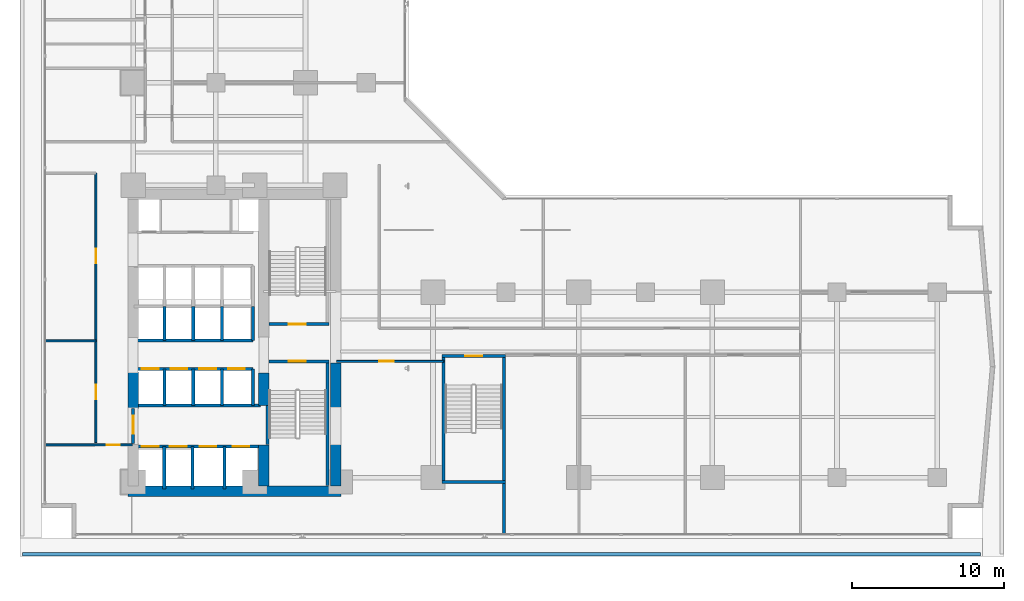
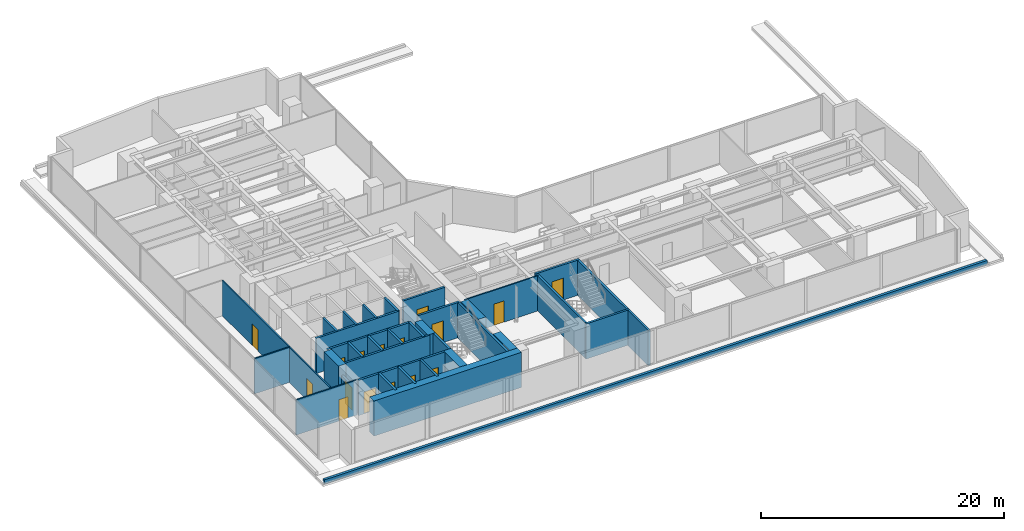
# One storey, part 21 of 29: 35 walls, 16 doors, 16 openings.
"""IFC4 building model written with IfcOpenShell, lengths in metres."""

from ifc_helpers import new_model, si_unit, direction, frame, frame_2d, origin, place, context, subcontext, project, spatial, rectangle, extrude, material, layer, layer_set, type_object, element, fill, save


model = new_model("IFC4")

# Units and contexts
model_context = context("Model", 3, precision=1e-05, world=origin(), true_north=direction((0.0, 1.0)))
body_context = subcontext(model_context, "Body", "Model", "MODEL_VIEW")
ifc_project = project(units=[si_unit("LENGTHUNIT", "METRE"), si_unit("AREAUNIT", "SQUARE_METRE"), si_unit("VOLUMEUNIT", "CUBIC_METRE"), si_unit("PLANEANGLEUNIT", "RADIAN"), si_unit("MASSUNIT", "GRAM", prefix="KILO")], contexts=[model_context])

# Site, building, storey
site_placement = place(None, origin())
site = spatial("IfcSite", under=ifc_project, at=site_placement, CompositionType="ELEMENT")
building_placement = place(site_placement, origin())
building = spatial("IfcBuilding", under=site, at=building_placement, Name="Kolvaren Waterfront Exchange", CompositionType="ELEMENT")
storey_placement = place(building_placement, frame((0.0, 0.0, 29.60009765625)))
storey = spatial("IfcBuildingStorey", under=building, at=storey_placement, Name="L07", CompositionType="ELEMENT", Elevation=29.60009765625)

# Wall, opening, door
ifc_material_1 = material(Name="Precast concrete C40/50", Category="concrete")
ifc_layer_1 = layer(ifc_material_1, 0.199951171875, Name="Precast concrete C40/50")
ifc_layer_set_1 = layer_set([ifc_layer_1], Name="Precast concrete C40/50")
wall_type_1 = type_object("IfcWallType", Name="ARC-FIRE-200", PredefinedType="PARTITIONING", material=ifc_layer_set_1)
wall_1_placement = place(storey_placement, frame((16.39990234375, 12.85009765625, 0.0), z_axis=(0.0, 0.0, 1.0), x_axis=(1.0, 0.0, 0.0)))
wall_1 = element("IfcWall", 1, at=wall_1_placement, inside=storey, type_object=wall_type_1, Name="L07 interior wall PW-L07-ST1-THROAT-S", PredefinedType="PARTITIONING", context=body_context, shape_type="SweptSolid", body=[
    extrude(rectangle(XDim=3.960205078125, YDim=0.199951171875, at=frame_2d((1.97998046875, 0.0))), origin(), (0.0, 0.0, 1.0), 3.539794921875),
])
opening_1_placement = place(wall_1_placement, frame((1.3037109375, 0.0, 0.0)))
opening_1 = element("IfcOpeningElement", 2, at=opening_1_placement, cuts=wall_1, Name="Opening FD2", PredefinedType="OPENING", context=body_context, shape_type="SweptSolid", body=[
    extrude(rectangle(XDim=1.10009765625, YDim=2.199951171875, at=frame_2d((0.550048828125, 1.10009765625))), frame((0.0, 0.10986328125, 0.0), z_axis=(0.0, -1.0, 0.0), x_axis=(1.0, 0.0, 0.0)), (0.0, 0.0, 1.0), 0.219970703125),
])
ifc_material_2 = material(Name="Pressed steel smoke-seal fire door", Category="steel")
door_type_1 = type_object("IfcDoorType", Name="ARC-FD-1100", OperationType="NOTDEFINED", PredefinedType="DOOR", material=ifc_material_2)
door_1_placement = place(opening_1_placement, frame((1.10009765625, 0.0, 0.0), z_axis=(0.0, 0.0, 1.0), x_axis=(-1.0, 0.0, 0.0)))
door_1 = element("IfcDoor", 3, at=door_1_placement, inside=storey, type_object=door_type_1, Name="L07 door DR-L07-ST1-IN (FD2)", OperationType="SINGLE_SWING_RIGHT", OverallHeight=2.199951171875, OverallWidth=1.10009765625, PredefinedType="DOOR", context=body_context, shape_type="SweptSolid", body=[
    extrude(rectangle(XDim=1.10009765625, YDim=2.199951171875, at=frame_2d((0.550048828125, 1.10009765625))), frame((0.0, 0.02490234375, 0.0), z_axis=(0.0, -1.0, 0.0), x_axis=(1.0, 0.0, 0.0)), (0.0, 0.0, 1.0), 0.050048828125),
])
fill(opening_1, door_1)

wall_2_placement = place(storey_placement, frame((16.409912109375, 15.300048828125, 0.0), z_axis=(0.0, 0.0, 1.0), x_axis=(1.0, 0.0, 0.0)))
wall_2 = element("IfcWall", 4, at=wall_2_placement, inside=storey, type_object=wall_type_1, Name="L07 interior wall PW-L07-ST2-THROAT-N", PredefinedType="PARTITIONING", context=body_context, shape_type="SweptSolid", body=[
    extrude(rectangle(XDim=3.9501953125, YDim=0.199951171875, at=frame_2d((1.97509765625, 0.0))), origin(), (0.0, 0.0, 1.0), 3.539794921875),
])
opening_2_placement = place(wall_2_placement, frame((1.293701171875, 0.0, 0.0)))
opening_2 = element("IfcOpeningElement", 5, at=opening_2_placement, cuts=wall_2, Name="Opening FD2", PredefinedType="OPENING", context=body_context, shape_type="SweptSolid", body=[
    extrude(rectangle(XDim=1.10009765625, YDim=2.199951171875, at=frame_2d((0.550048828125, 1.10009765625))), frame((0.0, 0.10986328125, 0.0), z_axis=(0.0, -1.0, 0.0), x_axis=(1.0, 0.0, 0.0)), (0.0, 0.0, 1.0), 0.219970703125),
])
door_2_placement = place(opening_2_placement, origin())
door_2 = element("IfcDoor", 6, at=door_2_placement, inside=storey, type_object=door_type_1, Name="L07 door DR-L07-ST2-IN (FD2)", OperationType="SINGLE_SWING_LEFT", OverallHeight=2.199951171875, OverallWidth=1.10009765625, PredefinedType="DOOR", context=body_context, shape_type="SweptSolid", body=[
    extrude(rectangle(XDim=1.10009765625, YDim=2.199951171875, at=frame_2d((0.550048828125, 1.10009765625))), frame((0.0, 0.02490234375, 0.0), z_axis=(0.0, -1.0, 0.0), x_axis=(1.0, 0.0, 0.0)), (0.0, 0.0, 1.0), 0.050048828125),
])
fill(opening_2, door_2)

# Wall
wall_3_placement = place(storey_placement, frame((7.5, 9.949951171875, 0.0), z_axis=(0.0, 0.0, 1.0), x_axis=(1.0, 0.0, 0.0)))
element("IfcWall", 7, at=wall_3_placement, inside=storey, type_object=wall_type_1, Name="L07 interior wall PW-L07-FF-N", PredefinedType="PARTITIONING", context=body_context, shape_type="SweptSolid", body=[
    extrude(rectangle(XDim=8.35009765625, YDim=0.199951171875, at=frame_2d((4.175048828125, 0.0))), origin(), (0.0, 0.0, 1.0), 3.539794921875),
])

# Wall, opening, door
wall_4_placement = place(storey_placement, frame((7.449951171875, 7.449951171875, 0.0), z_axis=(0.0, 0.0, 1.0), x_axis=(0.0, 1.0, 0.0)))
wall_4 = element("IfcWall", 8, at=wall_4_placement, inside=storey, type_object=wall_type_1, Name="L07 interior wall PW-L07-FF-W-DOOR", PredefinedType="PARTITIONING", context=body_context, shape_type="SweptSolid", body=[
    extrude(rectangle(XDim=2.300048828125, YDim=0.199951171875, at=frame_2d((1.14990234375, 0.0))), origin(), (0.0, 0.0, 1.0), 2.52001953125),
])
opening_3_placement = place(wall_4_placement, frame((0.63330078125, 0.0, 0.0)))
opening_3 = element("IfcOpeningElement", 9, at=opening_3_placement, cuts=wall_4, Name="Opening FD3", PredefinedType="OPENING", context=body_context, shape_type="SweptSolid", body=[
    extrude(rectangle(XDim=1.199951171875, YDim=2.25, at=frame_2d((0.60009765625, 1.125))), frame((0.0, 0.10986328125, 0.0), z_axis=(0.0, -1.0, 0.0), x_axis=(1.0, 0.0, 0.0)), (0.0, 0.0, 1.0), 0.219970703125),
])
ifc_material_3 = material(Name="Pressed steel fire door", Category="steel")
door_type_2 = type_object("IfcDoorType", Name="ARC-FD-1200", OperationType="NOTDEFINED", PredefinedType="DOOR", material=ifc_material_3)
door_3_placement = place(opening_3_placement, frame((1.199951171875, 0.0, 0.0), z_axis=(0.0, 0.0, 1.0), x_axis=(-1.0, 0.0, 0.0)))
door_3 = element("IfcDoor", 10, at=door_3_placement, inside=storey, type_object=door_type_2, Name="L07 door DR-L07-FF-OUT (FD3)", OperationType="SINGLE_SWING_LEFT", OverallHeight=2.25, OverallWidth=1.199951171875, PredefinedType="DOOR", context=body_context, shape_type="SweptSolid", body=[
    extrude(rectangle(XDim=1.199951171875, YDim=2.25, at=frame_2d((0.60009765625, 1.125))), frame((0.0, 0.02490234375, 0.0), z_axis=(0.0, -1.0, 0.0), x_axis=(1.0, 0.0, 0.0)), (0.0, 0.0, 1.0), 0.050048828125),
])
fill(opening_3, door_3)

# Wall
ifc_layer_2 = layer(ifc_material_1, 0.239990234375, Name="Precast concrete C40/50")
ifc_layer_set_2 = layer_set([ifc_layer_2], Name="Precast concrete C40/50")
wall_type_2 = type_object("IfcWallType", Name="ARC-PARAPET-240", PredefinedType="PARAPET", material=ifc_layer_set_2)
wall_5_placement = place(storey_placement, frame((0.14990234375, 0.14990234375, 0.0), z_axis=(0.0, 0.0, 1.0), x_axis=(1.0, 0.0, 0.0)))
element("IfcWall", 11, at=wall_5_placement, inside=storey, type_object=wall_type_2, Name="L07 setback parapet kerb 3", PredefinedType="PARAPET", context=body_context, shape_type="SweptSolid", body=[
    extrude(rectangle(XDim=63.090087890625, YDim=0.239990234375, at=frame_2d((31.544921875, 0.0))), origin(), (0.0, 0.0, 1.0), 0.419921875),
])

# Wall, opening, door
ifc_material_4 = material(Name="Acoustic gypsum steel stud", Category="steel")
ifc_layer_3 = layer(ifc_material_4, 0.125, Name="Acoustic gypsum steel stud")
ifc_layer_set_3 = layer_set([ifc_layer_3], Name="Acoustic gypsum steel stud")
wall_type_3 = type_object("IfcWallType", Name="ARC-PART-125", PredefinedType="PARTITIONING", material=ifc_layer_set_3)
wall_6_placement = place(storey_placement, frame((1.639892578125, 7.35009765625, 0.0), z_axis=(0.0, 0.0, 1.0), x_axis=(1.0, 0.0, 0.0)))
wall_6 = element("IfcWall", 12, at=wall_6_placement, inside=storey, type_object=wall_type_3, Name="L07 interior wall PW-L07-SWC-N", PredefinedType="PARTITIONING", context=body_context, shape_type="SweptSolid", body=[
    extrude(rectangle(XDim=5.760009765625, YDim=0.125, at=frame_2d((2.8798828125, 0.0))), origin(), (0.0, 0.0, 1.0), 3.539794921875),
])
opening_4_placement = place(wall_6_placement, frame((4.086669921875, 0.0, 0.0)))
opening_4 = element("IfcOpeningElement", 13, at=opening_4_placement, cuts=wall_6, Name="Opening D01", PredefinedType="OPENING", context=body_context, shape_type="SweptSolid", body=[
    extrude(rectangle(XDim=0.85009765625, YDim=2.14990234375, at=frame_2d((0.425048828125, 1.074951171875))), frame((0.0, 0.072509765625, 0.0), z_axis=(0.0, -1.0, 0.0), x_axis=(1.0, 0.0, 0.0)), (0.0, 0.0, 1.0), 0.14501953125),
])
ifc_material_5 = material(Name="Oak veneer timber leaf", Category="wood")
door_type_3 = type_object("IfcDoorType", Name="ARC-DR-900", OperationType="NOTDEFINED", PredefinedType="DOOR", material=ifc_material_5)
door_4_placement = place(opening_4_placement, origin())
door_4 = element("IfcDoor", 14, at=door_4_placement, inside=storey, type_object=door_type_3, Name="L07 door DR-L07-SWC-D (D01)", OperationType="SINGLE_SWING_RIGHT", OverallHeight=2.14990234375, OverallWidth=0.85009765625, PredefinedType="DOOR", context=body_context, shape_type="SweptSolid", body=[
    extrude(rectangle(XDim=0.85009765625, YDim=2.14990234375, at=frame_2d((0.425048828125, 1.074951171875))), frame((0.0, 0.02490234375, 0.0), z_axis=(0.0, -1.0, 0.0), x_axis=(1.0, 0.0, 0.0)), (0.0, 0.0, 1.0), 0.050048828125),
])
fill(opening_4, door_4)

# Wall, openings, doors
wall_7_placement = place(storey_placement, frame((5.0, 7.5, 0.0), z_axis=(0.0, 0.0, 1.0), x_axis=(0.0, 1.0, 0.0)))
wall_7 = element("IfcWall", 15, at=wall_7_placement, inside=storey, type_object=wall_type_3, Name="L07 interior wall PW-L07-WFLANK-E", PredefinedType="PARTITIONING", context=body_context, shape_type="SweptSolid", body=[
    extrude(rectangle(XDim=17.75, YDim=0.125, at=frame_2d((8.875, 0.0))), origin(), (0.0, 0.0, 1.0), 3.539794921875),
])
opening_5_placement = place(wall_7_placement, frame((2.85009765625, 0.0, 0.0)))
opening_5 = element("IfcOpeningElement", 16, at=opening_5_placement, cuts=wall_7, Name="Opening D02", PredefinedType="OPENING", context=body_context, shape_type="SweptSolid", body=[
    extrude(rectangle(XDim=0.949951171875, YDim=2.14990234375, at=frame_2d((0.47509765625, 1.074951171875))), frame((0.0, 0.072509765625, 0.0), z_axis=(0.0, -1.0, 0.0), x_axis=(1.0, 0.0, 0.0)), (0.0, 0.0, 1.0), 0.14501953125),
])
opening_6_placement = place(wall_7_placement, frame((11.82080078125, 0.0, 0.0)))
opening_6 = element("IfcOpeningElement", 17, at=opening_6_placement, cuts=wall_7, Name="Opening D02", PredefinedType="OPENING", context=body_context, shape_type="SweptSolid", body=[
    extrude(rectangle(XDim=0.949951171875, YDim=2.14990234375, at=frame_2d((0.47509765625, 1.074951171875))), frame((0.0, 0.072509765625, 0.0), z_axis=(0.0, -1.0, 0.0), x_axis=(1.0, 0.0, 0.0)), (0.0, 0.0, 1.0), 0.14501953125),
])
ifc_material_6 = material(Name="Oak veneer acoustic timber", Category="wood")
door_type_4 = type_object("IfcDoorType", Name="ARC-DR-950", OperationType="NOTDEFINED", PredefinedType="DOOR", material=ifc_material_6)
door_5_placement = place(opening_5_placement, origin())
door_5 = element("IfcDoor", 18, at=door_5_placement, inside=storey, type_object=door_type_4, Name="L07 door DR-L07-WFL1-D (D02)", OperationType="SINGLE_SWING_LEFT", OverallHeight=2.14990234375, OverallWidth=0.949951171875, PredefinedType="DOOR", context=body_context, shape_type="SweptSolid", body=[
    extrude(rectangle(XDim=0.949951171875, YDim=2.14990234375, at=frame_2d((0.47509765625, 1.074951171875))), frame((0.0, 0.02490234375, 0.0), z_axis=(0.0, -1.0, 0.0), x_axis=(1.0, 0.0, 0.0)), (0.0, 0.0, 1.0), 0.050048828125),
])
fill(opening_5, door_5)
door_6_placement = place(opening_6_placement, origin())
door_6 = element("IfcDoor", 19, at=door_6_placement, inside=storey, type_object=door_type_4, Name="L07 door DR-L07-WFL2-D (D02)", OperationType="SINGLE_SWING_RIGHT", OverallHeight=2.14990234375, OverallWidth=0.949951171875, PredefinedType="DOOR", context=body_context, shape_type="SweptSolid", body=[
    extrude(rectangle(XDim=0.949951171875, YDim=2.14990234375, at=frame_2d((0.47509765625, 1.074951171875))), frame((0.0, 0.02490234375, 0.0), z_axis=(0.0, -1.0, 0.0), x_axis=(1.0, 0.0, 0.0)), (0.0, 0.0, 1.0), 0.050048828125),
])
fill(opening_6, door_6)

# Wall
wall_8_placement = place(storey_placement, frame((1.639892578125, 14.199951171875, 0.0), z_axis=(0.0, 0.0, 1.0), x_axis=(1.0, 0.0, 0.0)))
element("IfcWall", 20, at=wall_8_placement, inside=storey, type_object=wall_type_3, Name="L07 interior wall PW-L07-WFLANK-MID", PredefinedType="PARTITIONING", context=body_context, shape_type="SweptSolid", body=[
    extrude(rectangle(XDim=3.360107421875, YDim=0.125, at=frame_2d((1.68017578125, 0.0))), origin(), (0.0, 0.0, 1.0), 3.539794921875),
])

# Wall, opening, door
wall_9_placement = place(storey_placement, frame((20.85009765625, 12.85009765625, 0.0), z_axis=(0.0, 0.0, 1.0), x_axis=(1.0, 0.0, 0.0)))
wall_9 = element("IfcWall", 21, at=wall_9_placement, inside=storey, type_object=wall_type_3, Name="L07 interior wall PW-L07-SWST3-N", PredefinedType="PARTITIONING", context=body_context, shape_type="SweptSolid", body=[
    extrude(rectangle(XDim=7.0498046875, YDim=0.125, at=frame_2d((3.52490234375, 0.0))), origin(), (0.0, 0.0, 1.0), 3.539794921875),
])
opening_7_placement = place(wall_9_placement, frame((2.800048828125, 0.0, 0.0)))
opening_7 = element("IfcOpeningElement", 22, at=opening_7_placement, cuts=wall_9, Name="Opening D02", PredefinedType="OPENING", context=body_context, shape_type="SweptSolid", body=[
    extrude(rectangle(XDim=0.949951171875, YDim=2.14990234375, at=frame_2d((0.47509765625, 1.074951171875))), frame((0.0, 0.072509765625, 0.0), z_axis=(0.0, -1.0, 0.0), x_axis=(1.0, 0.0, 0.0)), (0.0, 0.0, 1.0), 0.14501953125),
])
door_7_placement = place(opening_7_placement, origin())
door_7 = element("IfcDoor", 23, at=door_7_placement, inside=storey, type_object=door_type_4, Name="L07 door DR-L07-SWST3-D (D02)", OperationType="SINGLE_SWING_LEFT", OverallHeight=2.14990234375, OverallWidth=0.949951171875, PredefinedType="DOOR", context=body_context, shape_type="SweptSolid", body=[
    extrude(rectangle(XDim=0.949951171875, YDim=2.14990234375, at=frame_2d((0.47509765625, 1.074951171875))), frame((0.0, 0.02490234375, 0.0), z_axis=(0.0, -1.0, 0.0), x_axis=(1.0, 0.0, 0.0)), (0.0, 0.0, 1.0), 0.050048828125),
])
fill(opening_7, door_7)

# Walls
ifc_material_7 = material(Name="Concrete C40/50", Category="concrete")
ifc_layer_4 = layer(ifc_material_7, 0.199951171875, Name="Concrete C40/50")
ifc_layer_set_4 = layer_set([ifc_layer_4], Name="Concrete C40/50")
wall_type_4 = type_object("IfcWallType", Name="ARC-SHAFT-200", PredefinedType="PARTITIONING", material=ifc_layer_set_4)
wall_10_placement = place(storey_placement, frame((16.300048828125, 7.360107421875, 0.0), z_axis=(0.0, 0.0, 1.0), x_axis=(0.0, 1.0, 0.0)))
element("IfcWall", 24, at=wall_10_placement, inside=storey, type_object=wall_type_4, Name="L07 structural stairwell wall PW-L07-ST1-W", PredefinedType="SHEAR", context=body_context, shape_type="SweptSolid", body=[
    extrude(rectangle(XDim=2.579833984375, YDim=0.199951171875, at=frame_2d((1.2900390625, 0.0))), origin(), (0.0, 0.0, 1.0), 3.539794921875),
])
wall_11_placement = place(storey_placement, frame((20.260009765625, 4.659912109375, 0.0), z_axis=(0.0, 0.0, 1.0), x_axis=(0.0, 1.0, 0.0)))
element("IfcWall", 25, at=wall_11_placement, inside=storey, type_object=wall_type_4, Name="L07 structural stairwell wall PW-L07-ST1-E", PredefinedType="SHEAR", context=body_context, shape_type="SweptSolid", body=[
    extrude(rectangle(XDim=8.090087890625, YDim=0.199951171875, at=frame_2d((4.044921875, 0.0))), origin(), (0.0, 0.0, 1.0), 3.539794921875),
])
wall_12_placement = place(storey_placement, frame((27.89990234375, 5.0, 0.0), z_axis=(0.0, 0.0, 1.0), x_axis=(0.0, 1.0, 0.0)))
element("IfcWall", 26, at=wall_12_placement, inside=storey, type_object=wall_type_4, Name="L07 structural stairwell wall PW-L07-ST3-W", PredefinedType="SHEAR", context=body_context, shape_type="SweptSolid", body=[
    extrude(rectangle(XDim=8.10009765625, YDim=0.199951171875, at=frame_2d((4.050048828125, 0.0))), origin(), (0.0, 0.0, 1.0), 3.539794921875),
])
wall_13_placement = place(storey_placement, frame((31.860107421875, 1.43994140625, 0.0), z_axis=(0.0, 0.0, 1.0), x_axis=(0.0, 1.0, 0.0)))
element("IfcWall", 27, at=wall_13_placement, inside=storey, type_object=wall_type_4, Name="L07 structural stairwell wall PW-L07-ST3-E", PredefinedType="SHEAR", context=body_context, shape_type="SweptSolid", body=[
    extrude(rectangle(XDim=11.81005859375, YDim=0.199951171875, at=frame_2d((5.905029296875, 0.0))), origin(), (0.0, 0.0, 1.0), 3.539794921875),
])
wall_14_placement = place(storey_placement, frame((27.800048828125, 4.89990234375, 0.0), z_axis=(0.0, 0.0, 1.0), x_axis=(1.0, 0.0, 0.0)))
element("IfcWall", 28, at=wall_14_placement, inside=storey, type_object=wall_type_4, Name="L07 structural stairwell wall PW-L07-ST3-S", PredefinedType="SHEAR", context=body_context, shape_type="SweptSolid", body=[
    extrude(rectangle(XDim=4.159912109375, YDim=0.199951171875, at=frame_2d((2.080078125, 0.0))), origin(), (0.0, 0.0, 1.0), 3.539794921875),
])

# Wall, opening, door
wall_15_placement = place(storey_placement, frame((27.800048828125, 13.199951171875, 0.0), z_axis=(0.0, 0.0, 1.0), x_axis=(1.0, 0.0, 0.0)))
wall_15 = element("IfcWall", 29, at=wall_15_placement, inside=storey, type_object=wall_type_4, Name="L07 structural stairwell wall PW-L07-ST3-N", PredefinedType="SHEAR", context=body_context, shape_type="SweptSolid", body=[
    extrude(rectangle(XDim=4.159912109375, YDim=0.199951171875, at=frame_2d((2.080078125, 0.0))), origin(), (0.0, 0.0, 1.0), 3.539794921875),
])
opening_8_placement = place(wall_15_placement, frame((1.530029296875, 0.0, 0.0)))
opening_8 = element("IfcOpeningElement", 30, at=opening_8_placement, cuts=wall_15, Name="Opening FD2", PredefinedType="OPENING", context=body_context, shape_type="SweptSolid", body=[
    extrude(rectangle(XDim=1.10009765625, YDim=2.199951171875, at=frame_2d((0.550048828125, 1.10009765625))), frame((0.0, 0.10986328125, 0.0), z_axis=(0.0, -1.0, 0.0), x_axis=(1.0, 0.0, 0.0)), (0.0, 0.0, 1.0), 0.219970703125),
])
door_8_placement = place(opening_8_placement, frame((1.10009765625, 0.0, 0.0), z_axis=(0.0, 0.0, 1.0), x_axis=(-1.0, 0.0, 0.0)))
door_8 = element("IfcDoor", 31, at=door_8_placement, inside=storey, type_object=door_type_1, Name="L07 door DR-L07-ST3-IN (FD2)", OperationType="SINGLE_SWING_RIGHT", OverallHeight=2.199951171875, OverallWidth=1.10009765625, PredefinedType="DOOR", context=body_context, shape_type="SweptSolid", body=[
    extrude(rectangle(XDim=1.10009765625, YDim=2.199951171875, at=frame_2d((0.550048828125, 1.10009765625))), frame((0.0, 0.02490234375, 0.0), z_axis=(0.0, -1.0, 0.0), x_axis=(1.0, 0.0, 0.0)), (0.0, 0.0, 1.0), 0.050048828125),
])
fill(opening_8, door_8)

# Wall, openings, doors
wall_16_placement = place(storey_placement, frame((7.5, 7.25, 0.0), z_axis=(0.0, 0.0, 1.0), x_axis=(1.0, 0.0, 0.0)))
wall_16 = element("IfcWall", 32, at=wall_16_placement, inside=storey, type_object=wall_type_4, Name="L07 interior wall PW-L07-FF-S", PredefinedType="PARTITIONING", context=body_context, shape_type="SweptSolid", body=[
    extrude(rectangle(XDim=8.35009765625, YDim=0.199951171875, at=frame_2d((4.175048828125, 0.0))), origin(), (0.0, 0.0, 1.0), 3.539794921875),
])
opening_9_placement = place(wall_16_placement, frame((0.530029296875, 0.0, 0.0)))
opening_9 = element("IfcOpeningElement", 33, at=opening_9_placement, cuts=wall_16, Name="Opening LD1", PredefinedType="OPENING", context=body_context, shape_type="SweptSolid", body=[
    extrude(rectangle(XDim=1.10009765625, YDim=2.199951171875, at=frame_2d((0.550048828125, 1.10009765625))), frame((0.0, 0.10986328125, 0.0), z_axis=(0.0, -1.0, 0.0), x_axis=(1.0, 0.0, 0.0)), (0.0, 0.0, 1.0), 0.219970703125),
])
opening_10_placement = place(wall_16_placement, frame((2.3701171875, 0.0, 0.0)))
opening_10 = element("IfcOpeningElement", 34, at=opening_10_placement, cuts=wall_16, Name="Opening LD1", PredefinedType="OPENING", context=body_context, shape_type="SweptSolid", body=[
    extrude(rectangle(XDim=1.10009765625, YDim=2.199951171875, at=frame_2d((0.550048828125, 1.10009765625))), frame((0.0, 0.10986328125, 0.0), z_axis=(0.0, -1.0, 0.0), x_axis=(1.0, 0.0, 0.0)), (0.0, 0.0, 1.0), 0.219970703125),
])
opening_11_placement = place(wall_16_placement, frame((4.330078125, 0.0, 0.0)))
opening_11 = element("IfcOpeningElement", 35, at=opening_11_placement, cuts=wall_16, Name="Opening LD1", PredefinedType="OPENING", context=body_context, shape_type="SweptSolid", body=[
    extrude(rectangle(XDim=1.10009765625, YDim=2.199951171875, at=frame_2d((0.550048828125, 1.10009765625))), frame((0.0, 0.10986328125, 0.0), z_axis=(0.0, -1.0, 0.0), x_axis=(1.0, 0.0, 0.0)), (0.0, 0.0, 1.0), 0.219970703125),
])
opening_12_placement = place(wall_16_placement, frame((6.5, 0.0, 0.0)))
opening_12 = element("IfcOpeningElement", 36, at=opening_12_placement, cuts=wall_16, Name="Opening LD1", PredefinedType="OPENING", context=body_context, shape_type="SweptSolid", body=[
    extrude(rectangle(XDim=1.10009765625, YDim=2.199951171875, at=frame_2d((0.550048828125, 1.10009765625))), frame((0.0, 0.10986328125, 0.0), z_axis=(0.0, -1.0, 0.0), x_axis=(1.0, 0.0, 0.0)), (0.0, 0.0, 1.0), 0.219970703125),
])
ifc_material_8 = material(Name="Stainless steel sliding landing door", Category="steel")
door_type_5 = type_object("IfcDoorType", Name="ARC-LD-FF", OperationType="SLIDING_TO_LEFT", PredefinedType="DOOR", material=ifc_material_8)
door_9_placement = place(opening_9_placement, origin())
door_9 = element("IfcDoor", 37, at=door_9_placement, inside=storey, type_object=door_type_5, Name="L07 door LD-L07-FFL1 (LD1)", OperationType="SLIDING_TO_LEFT", OverallHeight=2.199951171875, OverallWidth=1.10009765625, PredefinedType="DOOR", context=body_context, shape_type="SweptSolid", body=[
    extrude(rectangle(XDim=1.10009765625, YDim=2.199951171875, at=frame_2d((0.550048828125, 1.10009765625))), frame((0.0, 0.02490234375, 0.0), z_axis=(0.0, -1.0, 0.0), x_axis=(1.0, 0.0, 0.0)), (0.0, 0.0, 1.0), 0.050048828125),
])
fill(opening_9, door_9)
door_10_placement = place(opening_10_placement, origin())
door_10 = element("IfcDoor", 38, at=door_10_placement, inside=storey, type_object=door_type_5, Name="L07 door LD-L07-FFL2 (LD1)", OperationType="SLIDING_TO_LEFT", OverallHeight=2.199951171875, OverallWidth=1.10009765625, PredefinedType="DOOR", context=body_context, shape_type="SweptSolid", body=[
    extrude(rectangle(XDim=1.10009765625, YDim=2.199951171875, at=frame_2d((0.550048828125, 1.10009765625))), frame((0.0, 0.02490234375, 0.0), z_axis=(0.0, -1.0, 0.0), x_axis=(1.0, 0.0, 0.0)), (0.0, 0.0, 1.0), 0.050048828125),
])
fill(opening_10, door_10)
door_11_placement = place(opening_11_placement, origin())
door_11 = element("IfcDoor", 39, at=door_11_placement, inside=storey, type_object=door_type_5, Name="L07 door LD-L07-GL1 (LD1)", OperationType="SLIDING_TO_LEFT", OverallHeight=2.199951171875, OverallWidth=1.10009765625, PredefinedType="DOOR", context=body_context, shape_type="SweptSolid", body=[
    extrude(rectangle(XDim=1.10009765625, YDim=2.199951171875, at=frame_2d((0.550048828125, 1.10009765625))), frame((0.0, 0.02490234375, 0.0), z_axis=(0.0, -1.0, 0.0), x_axis=(1.0, 0.0, 0.0)), (0.0, 0.0, 1.0), 0.050048828125),
])
fill(opening_11, door_11)
door_12_placement = place(opening_12_placement, origin())
door_12 = element("IfcDoor", 40, at=door_12_placement, inside=storey, type_object=door_type_5, Name="L07 door LD-L07-GL2 (LD1)", OperationType="SLIDING_TO_LEFT", OverallHeight=2.199951171875, OverallWidth=1.10009765625, PredefinedType="DOOR", context=body_context, shape_type="SweptSolid", body=[
    extrude(rectangle(XDim=1.10009765625, YDim=2.199951171875, at=frame_2d((0.550048828125, 1.10009765625))), frame((0.0, 0.02490234375, 0.0), z_axis=(0.0, -1.0, 0.0), x_axis=(1.0, 0.0, 0.0)), (0.0, 0.0, 1.0), 0.050048828125),
])
fill(opening_12, door_12)

# Walls
for number, where, z_axis, x_axis, name in (
    (41, (9.5, 4.449951171875, 0.0), (0.0, 0.0, 1.0), (0.0, 1.0, 0.0), "L07 interior wall PW-L07-SH1-DIV-95"),
    (42, (11.360107421875, 4.449951171875, 0.0), (0.0, 0.0, 1.0), (0.0, 1.0, 0.0), "L07 interior wall PW-L07-SH1-DIV-113"),
    (43, (13.4599609375, 4.449951171875, 0.0), (0.0, 0.0, 1.0), (0.0, 1.0, 0.0), "L07 interior wall PW-L07-SH1-DIV-134"),
):
    element("IfcWall", number, at=place(storey_placement, frame(where, z_axis=z_axis, x_axis=x_axis)), inside=storey, type_object=wall_type_4, Name=name, PredefinedType="PARTITIONING", context=body_context, shape_type="SweptSolid", body=[
        extrude(rectangle(XDim=2.800048828125, YDim=0.199951171875, at=frame_2d((1.39990234375, 0.0))), origin(), (0.0, 0.0, 1.0), 3.539794921875),
    ])

# Wall, openings, doors
wall_17_placement = place(storey_placement, frame((7.5, 12.360107421875, 0.0), z_axis=(0.0, 0.0, 1.0), x_axis=(1.0, 0.0, 0.0)))
wall_17 = element("IfcWall", 44, at=wall_17_placement, inside=storey, type_object=wall_type_4, Name="L07 interior wall PW-L07-PL-N", PredefinedType="PARTITIONING", context=body_context, shape_type="SweptSolid", body=[
    extrude(rectangle(XDim=7.85009765625, YDim=0.199951171875, at=frame_2d((3.925048828125, 0.0))), origin(), (0.0, 0.0, 1.0), 3.539794921875),
])
opening_13_placement = place(wall_17_placement, frame((0.530029296875, 0.0, 0.0)))
opening_13 = element("IfcOpeningElement", 45, at=opening_13_placement, cuts=wall_17, Name="Opening LD2", PredefinedType="OPENING", context=body_context, shape_type="SweptSolid", body=[
    extrude(rectangle(XDim=1.10009765625, YDim=2.199951171875, at=frame_2d((0.550048828125, 1.10009765625))), frame((0.0, 0.10986328125, 0.0), z_axis=(0.0, -1.0, 0.0), x_axis=(1.0, 0.0, 0.0)), (0.0, 0.0, 1.0), 0.219970703125),
])
opening_14_placement = place(wall_17_placement, frame((2.419921875, 0.0, 0.0)))
opening_14 = element("IfcOpeningElement", 46, at=opening_14_placement, cuts=wall_17, Name="Opening LD2", PredefinedType="OPENING", context=body_context, shape_type="SweptSolid", body=[
    extrude(rectangle(XDim=1.10009765625, YDim=2.199951171875, at=frame_2d((0.550048828125, 1.10009765625))), frame((0.0, 0.10986328125, 0.0), z_axis=(0.0, -1.0, 0.0), x_axis=(1.0, 0.0, 0.0)), (0.0, 0.0, 1.0), 0.219970703125),
])
opening_15_placement = place(wall_17_placement, frame((4.31005859375, 0.0, 0.0)))
opening_15 = element("IfcOpeningElement", 47, at=opening_15_placement, cuts=wall_17, Name="Opening LD2", PredefinedType="OPENING", context=body_context, shape_type="SweptSolid", body=[
    extrude(rectangle(XDim=1.10009765625, YDim=2.199951171875, at=frame_2d((0.550048828125, 1.10009765625))), frame((0.0, 0.10986328125, 0.0), z_axis=(0.0, -1.0, 0.0), x_axis=(1.0, 0.0, 0.0)), (0.0, 0.0, 1.0), 0.219970703125),
])
opening_16_placement = place(wall_17_placement, frame((6.199951171875, 0.0, 0.0)))
opening_16 = element("IfcOpeningElement", 48, at=opening_16_placement, cuts=wall_17, Name="Opening LD2", PredefinedType="OPENING", context=body_context, shape_type="SweptSolid", body=[
    extrude(rectangle(XDim=1.10009765625, YDim=2.199951171875, at=frame_2d((0.550048828125, 1.10009765625))), frame((0.0, 0.10986328125, 0.0), z_axis=(0.0, -1.0, 0.0), x_axis=(1.0, 0.0, 0.0)), (0.0, 0.0, 1.0), 0.219970703125),
])
ifc_material_9 = material(Name="Brushed bronze sliding landing door", Category="aluminium")
door_type_6 = type_object("IfcDoorType", Name="ARC-LD-PAX", OperationType="SLIDING_TO_LEFT", PredefinedType="DOOR", material=ifc_material_9)
door_13_placement = place(opening_13_placement, origin())
door_13 = element("IfcDoor", 49, at=door_13_placement, inside=storey, type_object=door_type_6, Name="L07 door LD-L07-PL1 (LD2)", OperationType="SLIDING_TO_LEFT", OverallHeight=2.199951171875, OverallWidth=1.10009765625, PredefinedType="DOOR", context=body_context, shape_type="SweptSolid", body=[
    extrude(rectangle(XDim=1.10009765625, YDim=2.199951171875, at=frame_2d((0.550048828125, 1.10009765625))), frame((0.0, 0.02490234375, 0.0), z_axis=(0.0, -1.0, 0.0), x_axis=(1.0, 0.0, 0.0)), (0.0, 0.0, 1.0), 0.050048828125),
])
fill(opening_13, door_13)
door_14_placement = place(opening_14_placement, origin())
door_14 = element("IfcDoor", 50, at=door_14_placement, inside=storey, type_object=door_type_6, Name="L07 door LD-L07-PL2 (LD2)", OperationType="SLIDING_TO_LEFT", OverallHeight=2.199951171875, OverallWidth=1.10009765625, PredefinedType="DOOR", context=body_context, shape_type="SweptSolid", body=[
    extrude(rectangle(XDim=1.10009765625, YDim=2.199951171875, at=frame_2d((0.550048828125, 1.10009765625))), frame((0.0, 0.02490234375, 0.0), z_axis=(0.0, -1.0, 0.0), x_axis=(1.0, 0.0, 0.0)), (0.0, 0.0, 1.0), 0.050048828125),
])
fill(opening_14, door_14)
door_15_placement = place(opening_15_placement, origin())
door_15 = element("IfcDoor", 51, at=door_15_placement, inside=storey, type_object=door_type_6, Name="L07 door LD-L07-PL3 (LD2)", OperationType="SLIDING_TO_LEFT", OverallHeight=2.199951171875, OverallWidth=1.10009765625, PredefinedType="DOOR", context=body_context, shape_type="SweptSolid", body=[
    extrude(rectangle(XDim=1.10009765625, YDim=2.199951171875, at=frame_2d((0.550048828125, 1.10009765625))), frame((0.0, 0.02490234375, 0.0), z_axis=(0.0, -1.0, 0.0), x_axis=(1.0, 0.0, 0.0)), (0.0, 0.0, 1.0), 0.050048828125),
])
fill(opening_15, door_15)
door_16_placement = place(opening_16_placement, origin())
door_16 = element("IfcDoor", 52, at=door_16_placement, inside=storey, type_object=door_type_6, Name="L07 door LD-L07-PL4 (LD2)", OperationType="SLIDING_TO_LEFT", OverallHeight=2.199951171875, OverallWidth=1.10009765625, PredefinedType="DOOR", context=body_context, shape_type="SweptSolid", body=[
    extrude(rectangle(XDim=1.10009765625, YDim=2.199951171875, at=frame_2d((0.550048828125, 1.10009765625))), frame((0.0, 0.02490234375, 0.0), z_axis=(0.0, -1.0, 0.0), x_axis=(1.0, 0.0, 0.0)), (0.0, 0.0, 1.0), 0.050048828125),
])
fill(opening_16, door_16)

# Walls
for number, where, z_axis, x_axis, name in (
    (53, (15.35009765625, 9.949951171875, 0.0), (0.0, 0.0, 1.0), (0.0, 1.0, 0.0), "L07 interior wall PW-L07-PL-E"),
    (54, (9.52001953125, 9.949951171875, 0.0), (0.0, 0.0, 1.0), (0.0, 1.0, 0.0), "L07 interior wall PW-L07-SH2-DIV-95"),
    (55, (11.409912109375, 9.949951171875, 0.0), (0.0, 0.0, 1.0), (0.0, 1.0, 0.0), "L07 interior wall PW-L07-SH2-DIV-114"),
    (56, (13.300048828125, 9.949951171875, 0.0), (0.0, 0.0, 1.0), (0.0, 1.0, 0.0), "L07 interior wall PW-L07-SH2-DIV-133"),
):
    element("IfcWall", number, at=place(storey_placement, frame(where, z_axis=z_axis, x_axis=x_axis)), inside=storey, type_object=wall_type_4, Name=name, PredefinedType="PARTITIONING", context=body_context, shape_type="SweptSolid", body=[
        extrude(rectangle(XDim=2.41015625, YDim=0.199951171875, at=frame_2d((1.205078125, 0.0))), origin(), (0.0, 0.0, 1.0), 3.539794921875),
    ])
wall_18_placement = place(storey_placement, frame((7.5, 14.219970703125, 0.0), z_axis=(0.0, 0.0, 1.0), x_axis=(1.0, 0.0, 0.0)))
element("IfcWall", 57, at=wall_18_placement, inside=storey, type_object=wall_type_4, Name="L07 interior wall PW-L07-PM-S", PredefinedType="PARTITIONING", context=body_context, shape_type="SweptSolid", body=[
    extrude(rectangle(XDim=7.85009765625, YDim=0.199951171875, at=frame_2d((3.925048828125, 0.0))), origin(), (0.0, 0.0, 1.0), 3.539794921875),
])
for number, where, z_axis, x_axis, name in (
    (58, (15.35009765625, 14.219970703125, 0.0), (0.0, 0.0, 1.0), (0.0, 1.0, 0.0), "L07 interior wall PW-L07-PM-E"),
    (59, (9.52001953125, 14.219970703125, 0.0), (0.0, 0.0, 1.0), (0.0, 1.0, 0.0), "L07 interior wall PW-L07-SH3-DIV-95"),
    (60, (11.409912109375, 14.219970703125, 0.0), (0.0, 0.0, 1.0), (0.0, 1.0, 0.0), "L07 interior wall PW-L07-SH3-DIV-114"),
    (61, (13.300048828125, 14.219970703125, 0.0), (0.0, 0.0, 1.0), (0.0, 1.0, 0.0), "L07 interior wall PW-L07-SH3-DIV-133"),
):
    element("IfcWall", number, at=place(storey_placement, frame(where, z_axis=z_axis, x_axis=x_axis)), inside=storey, type_object=wall_type_4, Name=name, PredefinedType="PARTITIONING", context=body_context, shape_type="SweptSolid", body=[
        extrude(rectangle(XDim=2.22998046875, YDim=0.199951171875, at=frame_2d((1.114990234375, 0.0))), origin(), (0.0, 0.0, 1.0), 3.539794921875),
    ])
ifc_material_10 = material(Name="Concrete C70/85", Category="concrete")
ifc_layer_5 = layer(ifc_material_10, 0.699951171875, Name="Concrete C70/85")
ifc_layer_set_5 = layer_set([ifc_layer_5], Name="Concrete C70/85")
wall_type_5 = type_object("IfcWallType", Name="STR-CWALL-700", PredefinedType="SHEAR", material=ifc_layer_set_5)
wall_19_placement = place(storey_placement, frame((7.10009765625, 4.300048828125, 0.0), z_axis=(0.0, 0.0, 1.0), x_axis=(1.0, 0.0, 0.0)))
element("IfcWall", 62, at=wall_19_placement, inside=storey, type_object=wall_type_5, Name="L07 rear-core shear wall S", PredefinedType="SHEAR", context=body_context, shape_type="SweptSolid", body=[
    extrude(rectangle(XDim=14.0498046875, YDim=0.699951171875, at=frame_2d((7.02490234375, 0.0))), origin(), (0.0, 0.0, 1.0), 3.539794921875),
])
wall_20_placement = place(storey_placement, frame((7.449951171875, 9.75, 0.0), z_axis=(0.0, 0.0, 1.0), x_axis=(0.0, 1.0, 0.0)))
element("IfcWall", 63, at=wall_20_placement, inside=storey, type_object=wall_type_5, Name="L07 rear-core shear wall W2A", PredefinedType="SHEAR", context=body_context, shape_type="SweptSolid", body=[
    extrude(rectangle(XDim=2.39990234375, YDim=0.699951171875, at=frame_2d((1.199951171875, 0.0))), origin(), (0.0, 0.0, 1.0), 3.539794921875),
])
wall_21_placement = place(storey_placement, frame((20.800048828125, 4.64990234375, 0.0), z_axis=(0.0, 0.0, 1.0), x_axis=(0.0, 1.0, 0.0)))
element("IfcWall", 64, at=wall_21_placement, inside=storey, type_object=wall_type_5, Name="L07 rear-core shear wall E1", PredefinedType="SHEAR", context=body_context, shape_type="SweptSolid", body=[
    extrude(rectangle(XDim=2.75, YDim=0.699951171875, at=frame_2d((1.375, 0.0))), origin(), (0.0, 0.0, 1.0), 3.539794921875),
])
wall_22_placement = place(storey_placement, frame((20.800048828125, 9.800048828125, 0.0), z_axis=(0.0, 0.0, 1.0), x_axis=(0.0, 1.0, 0.0)))
element("IfcWall", 65, at=wall_22_placement, inside=storey, type_object=wall_type_5, Name="L07 rear-core shear wall E2", PredefinedType="SHEAR", context=body_context, shape_type="SweptSolid", body=[
    extrude(rectangle(XDim=2.949951171875, YDim=0.699951171875, at=frame_2d((1.47509765625, 0.0))), origin(), (0.0, 0.0, 1.0), 3.539794921875),
])
wall_23_placement = place(storey_placement, frame((16.050048828125, 4.64990234375, 0.0), z_axis=(0.0, 0.0, 1.0), x_axis=(0.0, 1.0, 0.0)))
element("IfcWall", 66, at=wall_23_placement, inside=storey, type_object=wall_type_5, Name="L07 rear-core shear wall M1", PredefinedType="SHEAR", context=body_context, shape_type="SweptSolid", body=[
    extrude(rectangle(XDim=2.7001953125, YDim=0.699951171875, at=frame_2d((1.35009765625, 0.0))), origin(), (0.0, 0.0, 1.0), 3.539794921875),
])
wall_24_placement = place(storey_placement, frame((16.050048828125, 9.949951171875, 0.0), z_axis=(0.0, 0.0, 1.0), x_axis=(0.0, 1.0, 0.0)))
element("IfcWall", 67, at=wall_24_placement, inside=storey, type_object=wall_type_5, Name="L07 rear-core shear wall M2", PredefinedType="SHEAR", context=body_context, shape_type="SweptSolid", body=[
    extrude(rectangle(XDim=2.150146484375, YDim=0.699951171875, at=frame_2d((1.0751953125, 0.0))), origin(), (0.0, 0.0, 1.0), 3.539794921875),
])

save(model, "model.ifc")
